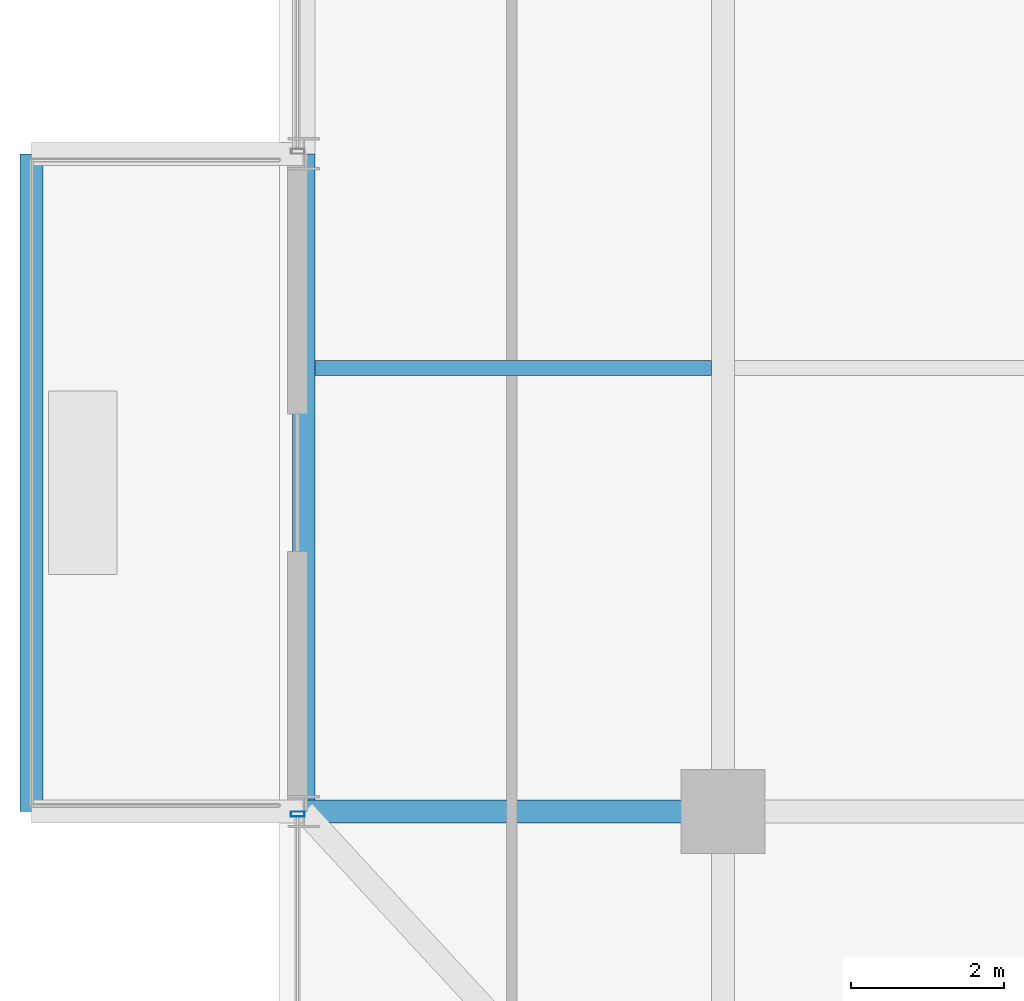
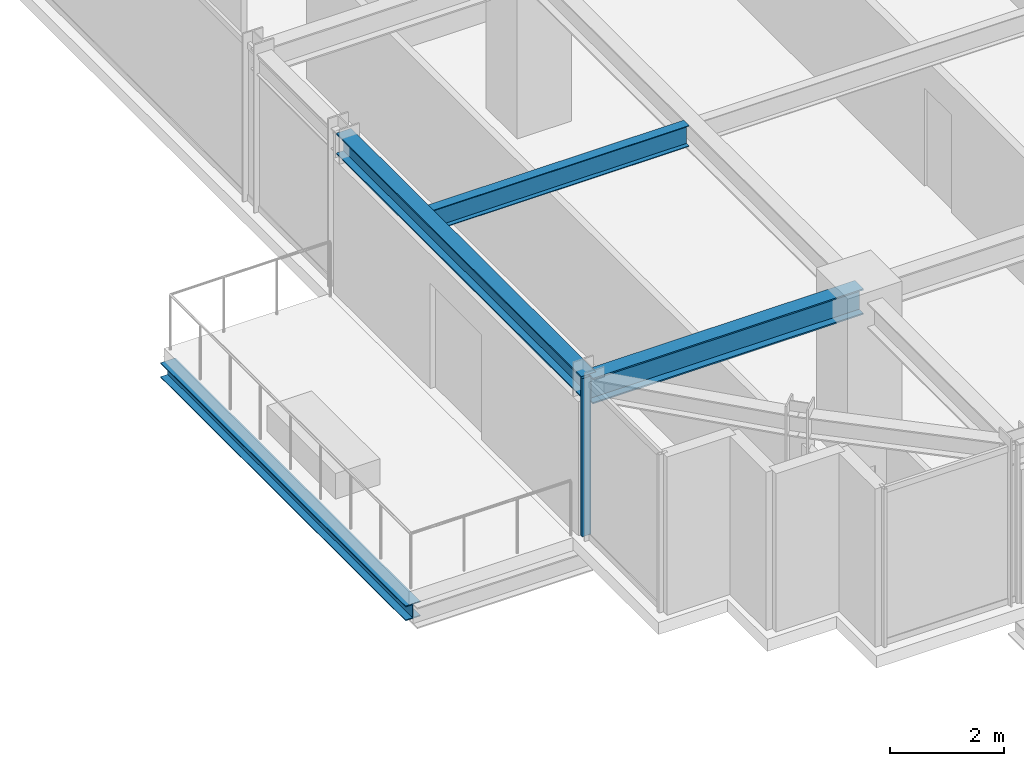
# One storey, part 4 of 31: 4 beams, 1 member, 1 element without a shape of its own.
"""IFC4 building model written with IfcOpenShell, lengths in metres."""

from ifc_helpers import new_model, si_unit, direction, frame, origin, origin_2d, place, context, subcontext, project, spatial, hollow_rectangle, i_section, extrude, source, transform, mapped, material, material_profile, profile_set, type_object, element, aggregate, save


model = new_model("IFC4")

# Units and contexts
model_context = context("Model", 3, precision=1e-05, world=origin(), true_north=direction((0.0, 1.0)))
body_context = subcontext(model_context, "Body", "Model", "MODEL_VIEW")
ifc_project = project(units=[si_unit("LENGTHUNIT", "METRE"), si_unit("AREAUNIT", "SQUARE_METRE"), si_unit("VOLUMEUNIT", "CUBIC_METRE"), si_unit("PLANEANGLEUNIT", "RADIAN"), si_unit("MASSUNIT", "GRAM", prefix="KILO")], contexts=[model_context])

# Site, building, storey
site_placement = place(None, origin())
site = spatial("IfcSite", under=ifc_project, at=site_placement, CompositionType="ELEMENT")
building_placement = place(site_placement, origin())
building = spatial("IfcBuilding", under=site, at=building_placement, Name="Nahalor Promenade Grand Hotel", CompositionType="ELEMENT")
storey_placement = place(building_placement, frame((0.0, 0.0, 156.300048828125)))
storey = spatial("IfcBuildingStorey", under=building, at=storey_placement, Name="L39", CompositionType="ELEMENT", Elevation=156.300048828125)

# Beams
ifc_material_1 = material(Name="Steel S355JR", Category="steel")
ifc_material_profile_1 = material_profile(ifc_material_1, i_section(OverallWidth=0.3, OverallDepth=0.32, WebThickness=0.0115, FlangeThickness=0.0205, at=origin_2d()), Name="HEB 320")
ifc_profile_set_1 = profile_set([ifc_material_profile_1], Name="Steel S355JR")
beam_type_1 = type_object("IfcBeamType", Name="Beam-BalcEdge-HEB320", PredefinedType="SPANDREL", material=ifc_profile_set_1)
shared_shape_1 = source(origin(), body_context, "Body", "SweptSolid", [
    extrude(i_section(OverallWidth=0.3, OverallDepth=0.32, WebThickness=0.0115, FlangeThickness=0.0205, at=origin_2d()), origin(), (0.0, 0.0, 1.0), 8.60009765625),
])
beam_1_placement = place(storey_placement, frame((-26.0400390625, -17.0, -0.43994140625), z_axis=(0.0, 1.0, 0.0), x_axis=(-1.0, 0.0, 0.0)))
element("IfcBeam", 1, at=beam_1_placement, inside=storey, type_object=beam_type_1, Name="BM-L39-BC-02-F", PredefinedType="SPANDREL", context=body_context, shape_type="MappedRepresentation", body=[
    mapped(shared_shape_1, transform((0.0, 0.0, 0.0), scale=1.0)),
])
ifc_material_profile_2 = material_profile(ifc_material_1, i_section(OverallWidth=0.3, OverallDepth=0.55, WebThickness=0.015, FlangeThickness=0.029, at=origin_2d()), Name="HEB 550")
ifc_profile_set_2 = profile_set([ifc_material_profile_2], Name="Steel S355JR")
beam_type_2 = type_object("IfcBeamType", Name="Beam-Girder-HEB550", PredefinedType="BEAM", material=ifc_profile_set_2)
shared_shape_2 = source(origin(), body_context, "Body", "SweptSolid", [
    extrude(i_section(OverallWidth=0.3, OverallDepth=0.55, WebThickness=0.015, FlangeThickness=0.029, at=origin_2d()), origin(), (0.0, 0.0, 1.0), 5.47998046875),
])
beam_2_placement = place(storey_placement, frame((-22.47998046875, -17.0, 3.114990234375), z_axis=(1.0, 0.0, 0.0), x_axis=(0.0, 1.0, 0.0)))
element("IfcBeam", 2, at=beam_2_placement, inside=storey, type_object=beam_type_2, Name="BM-L39-GX-0-0", PredefinedType="BEAM", context=body_context, shape_type="MappedRepresentation", body=[
    mapped(shared_shape_2, transform((0.0, 0.0, 0.0), scale=1.0)),
])
ifc_material_profile_3 = material_profile(ifc_material_1, i_section(OverallWidth=0.19, OverallDepth=0.45, WebThickness=0.0094, FlangeThickness=0.0146, at=origin_2d()), Name="IPE 450")
ifc_profile_set_3 = profile_set([ifc_material_profile_3], Name="Steel S355JR")
beam_type_3 = type_object("IfcBeamType", Name="Beam-Joist-IPE450", PredefinedType="JOIST", material=ifc_profile_set_3)
shared_shape_3 = source(origin(), body_context, "Body", "SweptSolid", [
    extrude(i_section(OverallWidth=0.19, OverallDepth=0.45, WebThickness=0.0094, FlangeThickness=0.0146, at=origin_2d()), origin(), (0.0, 0.0, 1.0), 5.18017578125),
])
beam_3_placement = place(storey_placement, frame((-22.330078125, -11.199951171875, 3.1650390625), z_axis=(1.0, 0.0, 0.0), x_axis=(0.0, 1.0, 0.0)))
element("IfcBeam", 3, at=beam_3_placement, inside=storey, type_object=beam_type_3, Name="BM-L39-JSW-0-0", PredefinedType="JOIST", context=body_context, shape_type="MappedRepresentation", body=[
    mapped(shared_shape_3, transform((0.0, 0.0, 0.0), scale=1.0)),
])
ifc_material_profile_4 = material_profile(ifc_material_1, i_section(OverallWidth=0.3, OverallDepth=0.45, WebThickness=0.014, FlangeThickness=0.026, at=origin_2d()), Name="HEB 450")
ifc_profile_set_4 = profile_set([ifc_material_profile_4], Name="Steel S355JR")
beam_type_4 = type_object("IfcBeamType", Name="Beam-Spandrel-HEB450", PredefinedType="SPANDREL", material=ifc_profile_set_4)
shared_shape_4 = source(origin(), body_context, "Body", "SweptSolid", [
    extrude(i_section(OverallWidth=0.3, OverallDepth=0.45, WebThickness=0.014, FlangeThickness=0.026, at=origin_2d()), origin(), (0.0, 0.0, 1.0), 8.60009765625),
])
beam_4_placement = place(storey_placement, frame((-22.47998046875, -17.0, 3.1650390625), z_axis=(0.0, 1.0, 0.0), x_axis=(-1.0, 0.0, 0.0)))
element("IfcBeam", 4, at=beam_4_placement, inside=storey, type_object=beam_type_4, Name="BM-L39-SP-W-0", PredefinedType="SPANDREL", context=body_context, shape_type="MappedRepresentation", body=[
    mapped(shared_shape_4, transform((0.0, 0.0, 0.0), scale=1.0)),
])

# Curtain wall, member
ifc_material_2 = material(Name="Anodised Bronze Aluminium EN AW-6063 T6", Category="aluminium")
curtain_wall_type = type_object("IfcCurtainWallType", Name="CW2 Typical Hotel Flush Bronze Unitised Curtain Wall", PredefinedType="USERDEFINED", material=ifc_material_2)
curtain_wall_placement = place(storey_placement, origin())
curtain_wall = element("IfcCurtainWall", 5, at=curtain_wall_placement, inside=storey, type_object=curtain_wall_type, Name="L39 Curtain Wall CW-L39-W-1", ObjectType="UNITISED_CURTAIN_WALL", PredefinedType="USERDEFINED")
ifc_material_profile_5 = material_profile(ifc_material_2, hollow_rectangle(XDim=0.065, YDim=0.18, WallThickness=0.004, at=origin_2d()), Name="CWM 65x180x4")
ifc_profile_set_5 = profile_set([ifc_material_profile_5], Name="Anodised Bronze Aluminium EN AW-6063 T6")
member_type = type_object("IfcMemberType", Name="CWM2 Typical Bronze Mullion 65x180", PredefinedType="MULLION", material=ifc_profile_set_5)
shared_shape_5 = source(origin(), body_context, "Body", "SweptSolid", [
    extrude(hollow_rectangle(XDim=0.065, YDim=0.18, WallThickness=0.004, at=origin_2d()), origin(), (0.0, 0.0, 1.0), 3.389892578125),
])
member_placement = place(storey_placement, frame((-22.56005859375, -17.032470703125, 0.0), z_axis=(0.0, 0.0, 1.0), x_axis=(0.0, 1.0, 0.0)))
member = element("IfcMember", 6, at=member_placement, type_object=member_type, Name="CW-L39-W-1 Mullion 1", PredefinedType="MULLION", context=body_context, shape_type="MappedRepresentation", body=[
    mapped(shared_shape_5, transform((0.0, 0.0, 0.0), scale=1.0)),
])
aggregate(curtain_wall, [member])

save(model, "model.ifc")
